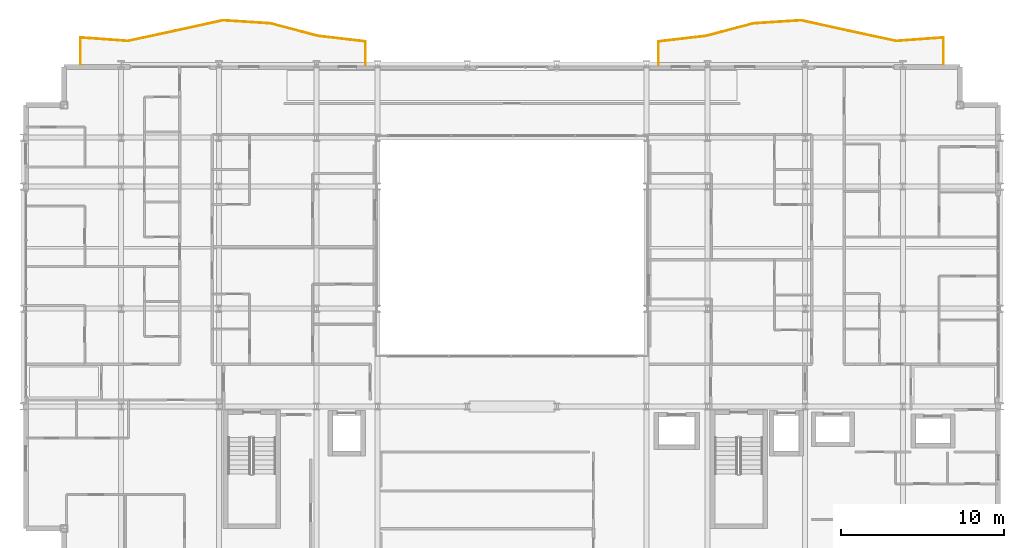
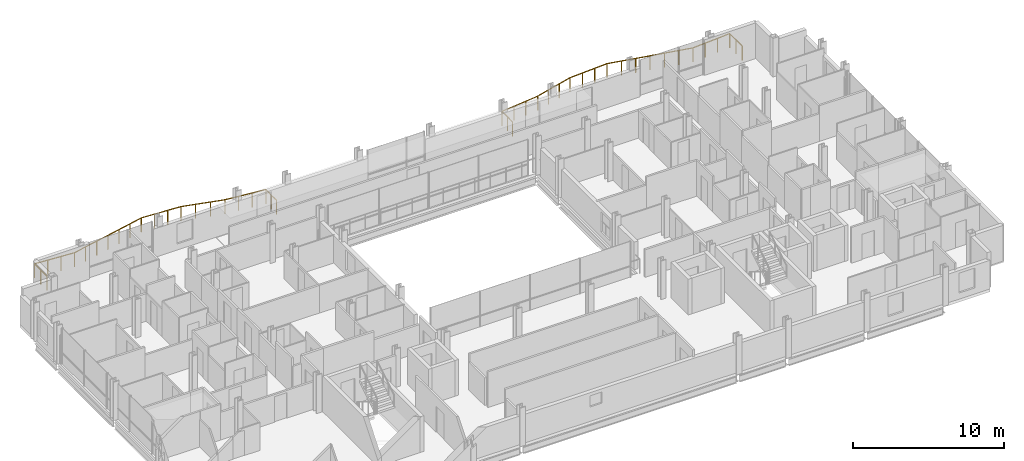
# One storey, part 41 of 41: 2 railings.
"""IFC4 building model written with IfcOpenShell, lengths in metres."""

from ifc_helpers import new_model, si_unit, direction, frame, origin, origin_2d, place, context, subcontext, project, spatial, circle, extrude, material, type_object, element, save


model = new_model("IFC4")

# Units and contexts
model_context = context("Model", 3, precision=1e-05, world=origin(), true_north=direction((0.0, 1.0)))
body_context = subcontext(model_context, "Body", "Model", "MODEL_VIEW")
ifc_project = project(units=[si_unit("LENGTHUNIT", "METRE"), si_unit("AREAUNIT", "SQUARE_METRE"), si_unit("VOLUMEUNIT", "CUBIC_METRE"), si_unit("PLANEANGLEUNIT", "RADIAN"), si_unit("MASSUNIT", "GRAM", prefix="KILO")], contexts=[model_context])

# Site, building, storey
site_placement = place(None, origin())
site = spatial("IfcSite", under=ifc_project, at=site_placement, CompositionType="ELEMENT")
building_placement = place(site_placement, origin())
building = spatial("IfcBuilding", under=site, at=building_placement, Name="Brevholm Reach", CompositionType="ELEMENT")
storey_placement = place(building_placement, frame((0.0, 0.0, 86.89990234375)))
storey = spatial("IfcBuildingStorey", under=building, at=storey_placement, Name="L25", CompositionType="ELEMENT", Elevation=86.89990234375)

# Railings
ifc_material = material(Name="Brushed Stainless Steel EN 1.4401 and Laminated Glass", Category="steel")
railing_type = type_object("IfcRailingType", Name="RAL-BALC-1150", PredefinedType="BALUSTRADE", material=ifc_material)
railing_1_placement = place(storey_placement, frame((56.5, 31.0, 0.0)))
element("IfcRailing", 1, at=railing_1_placement, inside=storey, type_object=railing_type, Name="L25 Guard Balustrade RAL-L25-BAL-NE", PredefinedType="BALUSTRADE", context=body_context, shape_type="SweptSolid", body=[
    extrude(circle(Radius=0.02392578125, at=origin_2d()), frame((0.0, 0.0, 1.1259765625), z_axis=(0.0, 1.0, 0.0), x_axis=(-1.0, 0.0, 0.0)), (0.0, 0.0, 1.0), 1.650146484375),
    extrude(circle(Radius=0.02392578125, at=origin_2d()), frame((0.0, 1.650146484375, 1.1259765625), z_axis=(-0.997334760815, -0.072961461535, 0.0), x_axis=(0.072961461535, -0.997334760815, 0.0)), (0.0, 0.0, 1.0), 2.924560546875),
    extrude(circle(Radius=0.02392578125, at=origin_2d()), frame((-2.916748046875, 1.436767578125, 1.1259765625), z_axis=(-0.977699293222, 0.21000974271, 0.0), x_axis=(-0.21000974271, -0.977699293222, 0.0)), (0.0, 0.0, 1.0), 2.98291015625),
    extrude(circle(Radius=0.02392578125, at=origin_2d()), frame((-5.833251953125, 2.063232421875, 1.1259765625), z_axis=(-0.976633143635, 0.214913244715, 0.0), x_axis=(-0.214913244715, -0.976633143635, 0.0)), (0.0, 0.0, 1.0), 2.986572265625),
    extrude(circle(Radius=0.02392578125, at=origin_2d()), frame((-8.75, 2.705078125, 1.1259765625), z_axis=(-0.997945514781, -0.06406831923, 0.0), x_axis=(0.06406831923, -0.997945514781, 0.0)), (0.0, 0.0, 1.0), 2.9228515625),
    extrude(circle(Radius=0.02392578125, at=origin_2d()), frame((-11.666748046875, 2.517822265625, 1.1259765625), z_axis=(-0.966868735292, -0.255274065889, 0.0), x_axis=(0.255274065889, -0.966868735292, 0.0)), (0.0, 0.0, 1.0), 3.016357421875),
    extrude(circle(Radius=0.02392578125, at=origin_2d()), frame((-14.583251953125, 1.747802734375, 1.1259765625), z_axis=(-0.99329006652, -0.11564965954, 0.0), x_axis=(0.11564965954, -0.99329006652, 0.0)), (0.0, 0.0, 1.0), 2.9365234375),
    extrude(circle(Radius=0.02392578125, at=origin_2d()), frame((-17.5, 1.408203125, 1.1259765625), z_axis=(0.0, -1.0, 0.0), x_axis=(1.0, 0.0, 0.0)), (0.0, 0.0, 1.0), 1.408203125),
    extrude(circle(Radius=0.02099609375, at=origin_2d()), origin(), (0.0, 0.0, 1.0), 1.101806640625),
    extrude(circle(Radius=0.02099609375, at=origin_2d()), frame((0.0, 0.8251953125, 0.0)), (0.0, 0.0, 1.0), 1.101806640625),
    extrude(circle(Radius=0.02099609375, at=origin_2d()), frame((0.0, 1.650146484375, 0.0)), (0.0, 0.0, 1.0), 1.101806640625),
    extrude(circle(Radius=0.02099609375, at=origin_2d()), frame((-0.97216796875, 1.5791015625, 0.0)), (0.0, 0.0, 1.0), 1.101806640625),
    extrude(circle(Radius=0.02099609375, at=origin_2d()), frame((-1.944580078125, 1.5078125, 0.0)), (0.0, 0.0, 1.0), 1.101806640625),
    extrude(circle(Radius=0.02099609375, at=origin_2d()), frame((-2.916748046875, 1.436767578125, 0.0)), (0.0, 0.0, 1.0), 1.101806640625),
    extrude(circle(Radius=0.02099609375, at=origin_2d()), frame((-3.888916015625, 1.6455078125, 0.0)), (0.0, 0.0, 1.0), 1.101806640625),
    extrude(circle(Radius=0.02099609375, at=origin_2d()), frame((-4.861083984375, 1.8544921875, 0.0)), (0.0, 0.0, 1.0), 1.101806640625),
    extrude(circle(Radius=0.02099609375, at=origin_2d()), frame((-5.833251953125, 2.063232421875, 0.0)), (0.0, 0.0, 1.0), 1.101806640625),
    extrude(circle(Radius=0.02099609375, at=origin_2d()), frame((-6.805419921875, 2.277099609375, 0.0)), (0.0, 0.0, 1.0), 1.101806640625),
    extrude(circle(Radius=0.02099609375, at=origin_2d()), frame((-7.77783203125, 2.4912109375, 0.0)), (0.0, 0.0, 1.0), 1.101806640625),
    extrude(circle(Radius=0.02099609375, at=origin_2d()), frame((-8.75, 2.705078125, 0.0)), (0.0, 0.0, 1.0), 1.101806640625),
    extrude(circle(Radius=0.02099609375, at=origin_2d()), frame((-9.72216796875, 2.642578125, 0.0)), (0.0, 0.0, 1.0), 1.101806640625),
    extrude(circle(Radius=0.02099609375, at=origin_2d()), frame((-10.694580078125, 2.580322265625, 0.0)), (0.0, 0.0, 1.0), 1.101806640625),
    extrude(circle(Radius=0.02099609375, at=origin_2d()), frame((-11.666748046875, 2.517822265625, 0.0)), (0.0, 0.0, 1.0), 1.101806640625),
    extrude(circle(Radius=0.02099609375, at=origin_2d()), frame((-12.638916015625, 2.26123046875, 0.0)), (0.0, 0.0, 1.0), 1.101806640625),
    extrude(circle(Radius=0.02099609375, at=origin_2d()), frame((-13.611083984375, 2.00439453125, 0.0)), (0.0, 0.0, 1.0), 1.101806640625),
    extrude(circle(Radius=0.02099609375, at=origin_2d()), frame((-14.583251953125, 1.747802734375, 0.0)), (0.0, 0.0, 1.0), 1.101806640625),
    extrude(circle(Radius=0.02099609375, at=origin_2d()), frame((-15.555419921875, 1.634521484375, 0.0)), (0.0, 0.0, 1.0), 1.101806640625),
    extrude(circle(Radius=0.02099609375, at=origin_2d()), frame((-16.52783203125, 1.521484375, 0.0)), (0.0, 0.0, 1.0), 1.101806640625),
    extrude(circle(Radius=0.02099609375, at=origin_2d()), frame((-17.5, 1.408203125, 0.0)), (0.0, 0.0, 1.0), 1.101806640625),
    extrude(circle(Radius=0.02099609375, at=origin_2d()), frame((-17.5, 0.7041015625, 0.0)), (0.0, 0.0, 1.0), 1.101806640625),
    extrude(circle(Radius=0.02099609375, at=origin_2d()), frame((-17.5, 0.0, 0.0)), (0.0, 0.0, 1.0), 1.101806640625),
])
railing_2_placement = place(storey_placement, frame((21.0, 31.0, 0.0)))
element("IfcRailing", 2, at=railing_2_placement, inside=storey, type_object=railing_type, Name="L25 Guard Balustrade RAL-L25-BAL-NW", PredefinedType="BALUSTRADE", context=body_context, shape_type="SweptSolid", body=[
    extrude(circle(Radius=0.02392578125, at=origin_2d()), frame((0.0, 0.0, 1.1259765625), z_axis=(0.0, 1.0, 0.0), x_axis=(-1.0, 0.0, 0.0)), (0.0, 0.0, 1.0), 1.408203125),
    extrude(circle(Radius=0.02392578125, at=origin_2d()), frame((0.0, 1.408203125, 1.1259765625), z_axis=(-0.99329006652, 0.11564965954, 0.0), x_axis=(-0.11564965954, -0.99329006652, 0.0)), (0.0, 0.0, 1.0), 2.9365234375),
    extrude(circle(Radius=0.02392578125, at=origin_2d()), frame((-2.916748046875, 1.747802734375, 1.1259765625), z_axis=(-0.966868735292, 0.255274065889, 0.0), x_axis=(-0.255274065889, -0.966868735292, 0.0)), (0.0, 0.0, 1.0), 3.016357421875),
    extrude(circle(Radius=0.02392578125, at=origin_2d()), frame((-5.833251953125, 2.517822265625, 1.1259765625), z_axis=(-0.997945514781, 0.06406831923, 0.0), x_axis=(-0.06406831923, -0.997945514781, 0.0)), (0.0, 0.0, 1.0), 2.9228515625),
    extrude(circle(Radius=0.02392578125, at=origin_2d()), frame((-8.75, 2.705078125, 1.1259765625), z_axis=(-0.976633143635, -0.214913244715, 0.0), x_axis=(0.214913244715, -0.976633143635, 0.0)), (0.0, 0.0, 1.0), 2.986572265625),
    extrude(circle(Radius=0.02392578125, at=origin_2d()), frame((-11.666748046875, 2.063232421875, 1.1259765625), z_axis=(-0.977699293222, -0.21000974271, 0.0), x_axis=(0.21000974271, -0.977699293222, 0.0)), (0.0, 0.0, 1.0), 2.98291015625),
    extrude(circle(Radius=0.02392578125, at=origin_2d()), frame((-14.583251953125, 1.436767578125, 1.1259765625), z_axis=(-0.997334760815, 0.072961461535, 0.0), x_axis=(-0.072961461535, -0.997334760815, 0.0)), (0.0, 0.0, 1.0), 2.924560546875),
    extrude(circle(Radius=0.02392578125, at=origin_2d()), frame((-17.5, 1.650146484375, 1.1259765625), z_axis=(0.0, -1.0, 0.0), x_axis=(1.0, 0.0, 0.0)), (0.0, 0.0, 1.0), 1.650146484375),
    extrude(circle(Radius=0.02099609375, at=origin_2d()), origin(), (0.0, 0.0, 1.0), 1.101806640625),
    extrude(circle(Radius=0.02099609375, at=origin_2d()), frame((0.0, 0.7041015625, 0.0)), (0.0, 0.0, 1.0), 1.101806640625),
    extrude(circle(Radius=0.02099609375, at=origin_2d()), frame((0.0, 1.408203125, 0.0)), (0.0, 0.0, 1.0), 1.101806640625),
    extrude(circle(Radius=0.02099609375, at=origin_2d()), frame((-0.97216796875, 1.521484375, 0.0)), (0.0, 0.0, 1.0), 1.101806640625),
    extrude(circle(Radius=0.02099609375, at=origin_2d()), frame((-1.944580078125, 1.634521484375, 0.0)), (0.0, 0.0, 1.0), 1.101806640625),
    extrude(circle(Radius=0.02099609375, at=origin_2d()), frame((-2.916748046875, 1.747802734375, 0.0)), (0.0, 0.0, 1.0), 1.101806640625),
    extrude(circle(Radius=0.02099609375, at=origin_2d()), frame((-3.888916015625, 2.00439453125, 0.0)), (0.0, 0.0, 1.0), 1.101806640625),
    extrude(circle(Radius=0.02099609375, at=origin_2d()), frame((-4.861083984375, 2.26123046875, 0.0)), (0.0, 0.0, 1.0), 1.101806640625),
    extrude(circle(Radius=0.02099609375, at=origin_2d()), frame((-5.833251953125, 2.517822265625, 0.0)), (0.0, 0.0, 1.0), 1.101806640625),
    extrude(circle(Radius=0.02099609375, at=origin_2d()), frame((-6.805419921875, 2.580322265625, 0.0)), (0.0, 0.0, 1.0), 1.101806640625),
    extrude(circle(Radius=0.02099609375, at=origin_2d()), frame((-7.77783203125, 2.642578125, 0.0)), (0.0, 0.0, 1.0), 1.101806640625),
    extrude(circle(Radius=0.02099609375, at=origin_2d()), frame((-8.75, 2.705078125, 0.0)), (0.0, 0.0, 1.0), 1.101806640625),
    extrude(circle(Radius=0.02099609375, at=origin_2d()), frame((-9.72216796875, 2.4912109375, 0.0)), (0.0, 0.0, 1.0), 1.101806640625),
    extrude(circle(Radius=0.02099609375, at=origin_2d()), frame((-10.694580078125, 2.277099609375, 0.0)), (0.0, 0.0, 1.0), 1.101806640625),
    extrude(circle(Radius=0.02099609375, at=origin_2d()), frame((-11.666748046875, 2.063232421875, 0.0)), (0.0, 0.0, 1.0), 1.101806640625),
    extrude(circle(Radius=0.02099609375, at=origin_2d()), frame((-12.638916015625, 1.8544921875, 0.0)), (0.0, 0.0, 1.0), 1.101806640625),
    extrude(circle(Radius=0.02099609375, at=origin_2d()), frame((-13.611083984375, 1.6455078125, 0.0)), (0.0, 0.0, 1.0), 1.101806640625),
    extrude(circle(Radius=0.02099609375, at=origin_2d()), frame((-14.583251953125, 1.436767578125, 0.0)), (0.0, 0.0, 1.0), 1.101806640625),
    extrude(circle(Radius=0.02099609375, at=origin_2d()), frame((-15.555419921875, 1.5078125, 0.0)), (0.0, 0.0, 1.0), 1.101806640625),
    extrude(circle(Radius=0.02099609375, at=origin_2d()), frame((-16.52783203125, 1.5791015625, 0.0)), (0.0, 0.0, 1.0), 1.101806640625),
    extrude(circle(Radius=0.02099609375, at=origin_2d()), frame((-17.5, 1.650146484375, 0.0)), (0.0, 0.0, 1.0), 1.101806640625),
    extrude(circle(Radius=0.02099609375, at=origin_2d()), frame((-17.5, 0.8251953125, 0.0)), (0.0, 0.0, 1.0), 1.101806640625),
    extrude(circle(Radius=0.02099609375, at=origin_2d()), frame((-17.5, 0.0, 0.0)), (0.0, 0.0, 1.0), 1.101806640625),
])

save(model, "model.ifc")
